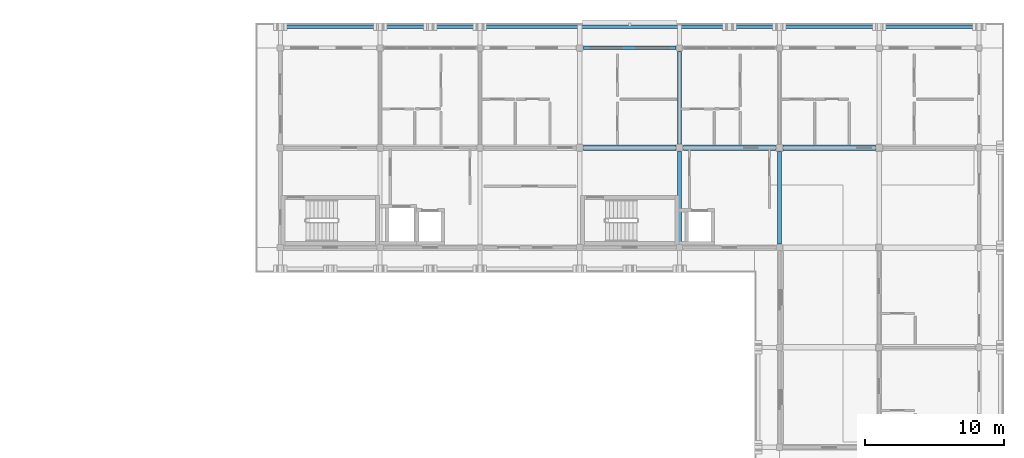
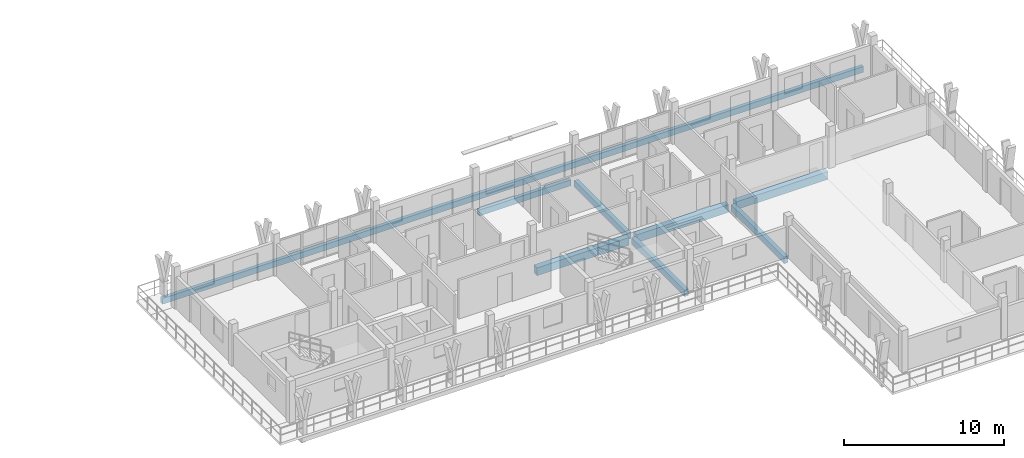
# One storey, part 24 of 56: 8 beams.
"""IFC4 building model written with IfcOpenShell, lengths in metres."""

from ifc_helpers import new_model, si_unit, direction, frame, origin, origin_2d, place, context, subcontext, project, spatial, rectangle, extrude, material, material_profile, profile_set, type_object, element, save


model = new_model("IFC4")

# Units and contexts
model_context = context("Model", 3, precision=1e-05, world=origin(), true_north=direction((0.0, 1.0)))
body_context = subcontext(model_context, "Body", "Model", "MODEL_VIEW")
ifc_project = project(units=[si_unit("LENGTHUNIT", "METRE"), si_unit("AREAUNIT", "SQUARE_METRE"), si_unit("VOLUMEUNIT", "CUBIC_METRE"), si_unit("PLANEANGLEUNIT", "RADIAN"), si_unit("MASSUNIT", "GRAM", prefix="KILO")], contexts=[model_context])

# Site, building, storey
site_placement = place(None, origin())
site = spatial("IfcSite", under=ifc_project, at=site_placement, CompositionType="ELEMENT")
building_placement = place(site_placement, origin())
building = spatial("IfcBuilding", under=site, at=building_placement, Name="Suanplinth Sawtooth Commons", CompositionType="ELEMENT")
storey_placement = place(building_placement, frame((0.0, 0.0, 34.800048828125)))
storey = spatial("IfcBuildingStorey", under=building, at=storey_placement, Name="L10", CompositionType="ELEMENT", Elevation=34.800048828125)

# Beams
ifc_material = material(Name="Precast concrete C40/50", Category="concrete")
ifc_material_profile_1 = material_profile(ifc_material, rectangle(XDim=0.39990234375, YDim=0.60009765625, at=origin_2d()), Name="PC-GDR 400x600")
ifc_profile_set_1 = profile_set([ifc_material_profile_1], Name="Precast concrete C40/50")
beam_type_1 = type_object("IfcBeamType", Name="B-05", PredefinedType="USERDEFINED", material=ifc_profile_set_1)
for number, where, z_axis, x_axis, name in (
    (1, (158.675048828125, 115.199951171875, -0.52001953125), (1.0, 0.0, 0.0), (0.0, 1.0, 0.0), "BMX-L10-B-22-16"),
    (2, (165.875, 115.199951171875, -0.52001953125), (1.0, 0.0, 0.0), (0.0, 1.0, 0.0), "BMX-L10-B-23-16"),
):
    element("IfcBeam", number, at=place(storey_placement, frame(where, z_axis=z_axis, x_axis=x_axis)), inside=storey, type_object=beam_type_1, Name=name, ObjectType="GIRDER", PredefinedType="USERDEFINED", context=body_context, shape_type="SweptSolid", body=[
        extrude(rectangle(XDim=0.39990234375, YDim=0.60009765625, at=origin_2d()), origin(), (0.0, 0.0, 1.0), 6.64990234375),
    ])
beam_1_placement = place(storey_placement, frame((173.074951171875, 115.199951171875, -0.52001953125), z_axis=(1.0, 0.0, 0.0), x_axis=(0.0, 1.0, 0.0)))
element("IfcBeam", 3, at=beam_1_placement, inside=storey, type_object=beam_type_1, Name="BMX-L10-B-24-16", ObjectType="GIRDER", PredefinedType="USERDEFINED", context=body_context, shape_type="SweptSolid", body=[
    extrude(rectangle(XDim=0.39990234375, YDim=0.60009765625, at=origin_2d()), origin(), (0.0, 0.0, 1.0), 6.650146484375),
])
ifc_material_profile_2 = material_profile(ifc_material, rectangle(XDim=0.300048828125, YDim=0.5, at=origin_2d()), Name="PC-BM 300x500")
ifc_profile_set_2 = profile_set([ifc_material_profile_2], Name="Precast concrete C40/50")
beam_type_2 = type_object("IfcBeamType", Name="B-07", PredefinedType="BEAM", material=ifc_profile_set_2)
beam_2_placement = place(storey_placement, frame((165.60009765625, 108.27490234375, -0.469970703125), z_axis=(0.0, 1.0, 0.0), x_axis=(-1.0, 0.0, 0.0)))
element("IfcBeam", 4, at=beam_2_placement, inside=storey, type_object=beam_type_2, Name="BMY-L10-B-23-15", PredefinedType="BEAM", context=body_context, shape_type="SweptSolid", body=[
    extrude(rectangle(XDim=0.300048828125, YDim=0.5, at=origin_2d()), origin(), (0.0, 0.0, 1.0), 6.650146484375),
])
beam_3_placement = place(storey_placement, frame((165.60009765625, 115.47509765625, -0.469970703125), z_axis=(0.0, 1.0, 0.0), x_axis=(-1.0, 0.0, 0.0)))
element("IfcBeam", 5, at=beam_3_placement, inside=storey, type_object=beam_type_2, Name="BMY-L10-B-23-16", PredefinedType="BEAM", context=body_context, shape_type="SweptSolid", body=[
    extrude(rectangle(XDim=0.300048828125, YDim=0.5, at=origin_2d()), origin(), (0.0, 0.0, 1.0), 6.64990234375),
])
beam_4_placement = place(storey_placement, frame((172.800048828125, 108.27490234375, -0.469970703125), z_axis=(0.0, 1.0, 0.0), x_axis=(-1.0, 0.0, 0.0)))
element("IfcBeam", 6, at=beam_4_placement, inside=storey, type_object=beam_type_2, Name="BMY-L10-B-24-15", PredefinedType="BEAM", context=body_context, shape_type="SweptSolid", body=[
    extrude(rectangle(XDim=0.300048828125, YDim=0.5, at=origin_2d()), origin(), (0.0, 0.0, 1.0), 6.650146484375),
])
ifc_material_profile_3 = material_profile(ifc_material, rectangle(XDim=0.25, YDim=0.449951171875, at=origin_2d()), Name="PC-SP 250x450")
ifc_profile_set_3 = profile_set([ifc_material_profile_3], Name="Precast concrete C40/50")
beam_type_3 = type_object("IfcBeamType", Name="B-09", PredefinedType="SPANDREL", material=ifc_profile_set_3)
beam_5_placement = place(storey_placement, frame((158.675048828125, 122.39990234375, -0.445068359375), z_axis=(1.0, 0.0, 0.0), x_axis=(0.0, 1.0, 0.0)))
element("IfcBeam", 7, at=beam_5_placement, inside=storey, type_object=beam_type_3, Name="BMX-L10-B-22-17", PredefinedType="SPANDREL", context=body_context, shape_type="SweptSolid", body=[
    extrude(rectangle(XDim=0.25, YDim=0.449951171875, at=origin_2d()), origin(), (0.0, 0.0, 1.0), 6.64990234375),
])
beam_6_placement = place(storey_placement, frame((136.64990234375, 123.919921875, -0.405029296875), z_axis=(1.0, 0.0, 0.0), x_axis=(0.0, 1.0, 0.0)))
element("IfcBeam", 8, at=beam_6_placement, inside=storey, type_object=beam_type_3, Name="Balcony Edge Fascia L10-B-N", PredefinedType="SPANDREL", context=body_context, shape_type="SweptSolid", body=[
    extrude(rectangle(XDim=0.25, YDim=0.449951171875, at=origin_2d()), origin(), (0.0, 0.0, 1.0), 50.7001953125),
])

save(model, "model.ifc")
